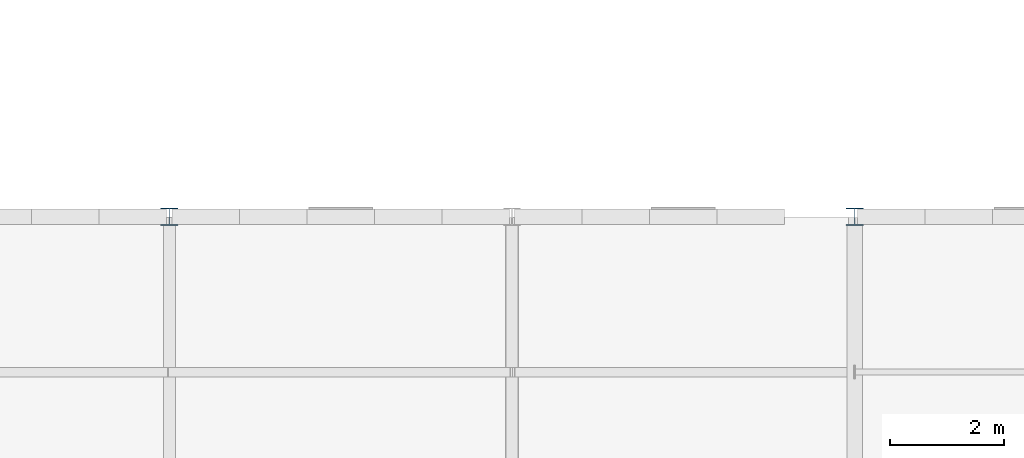
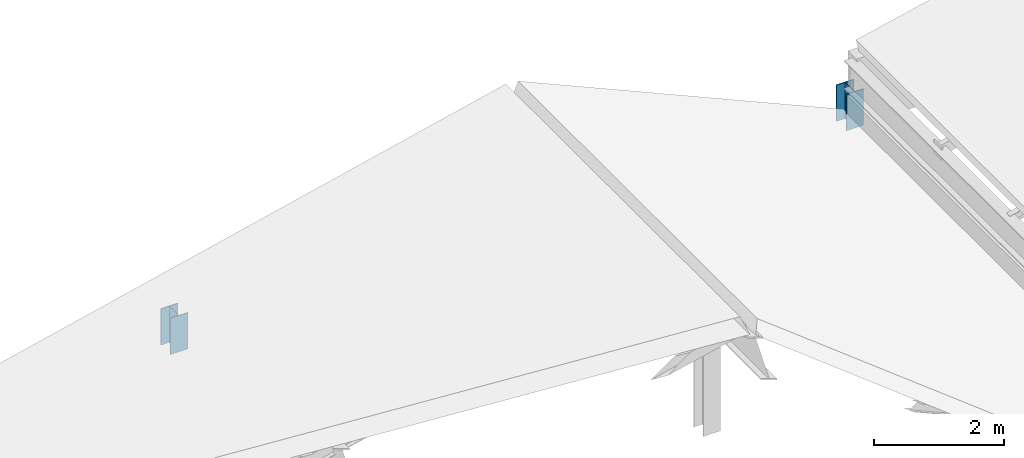
# One storey, part 26 of 74: 2 members.
"""IFC4 building model written with IfcOpenShell, lengths in metres."""

from ifc_helpers import new_model, si_unit, direction, frame, origin, origin_2d, place, context, subcontext, project, spatial, i_section, extrude, material, material_profile, profile_set, type_object, element, save


model = new_model("IFC4")

# Units and contexts
model_context = context("Model", 3, precision=1e-05, world=origin(), true_north=direction((0.0, 1.0)))
body_context = subcontext(model_context, "Body", "Model", "MODEL_VIEW")
ifc_project = project(units=[si_unit("LENGTHUNIT", "METRE"), si_unit("AREAUNIT", "SQUARE_METRE"), si_unit("VOLUMEUNIT", "CUBIC_METRE"), si_unit("PLANEANGLEUNIT", "RADIAN"), si_unit("MASSUNIT", "GRAM", prefix="KILO")], contexts=[model_context])

# Site, building, storey
site_placement = place(None, origin())
site = spatial("IfcSite", under=ifc_project, at=site_placement, CompositionType="ELEMENT")
building_placement = place(site_placement, origin())
building = spatial("IfcBuilding", under=site, at=building_placement, Name="Siltcreek Boulevard Central Fire Station", CompositionType="ELEMENT")
storey_placement = place(building_placement, frame((0.0, 0.0, 25.199951171875)))
storey = spatial("IfcBuildingStorey", under=building, at=storey_placement, Name="RF", CompositionType="ELEMENT", Elevation=25.199951171875)

# Members
ifc_material = material(Name="Structural steel ASTM A992 Gr50", Category="steel")
ifc_material_profile = material_profile(ifc_material, i_section(OverallWidth=0.304931640625, OverallDepth=0.30810546875, WebThickness=0.010009765625, FlangeThickness=0.015380859375, at=origin_2d()), Name="W310X97")
ifc_profile_set = profile_set([ifc_material_profile], Name="Structural steel ASTM A992 Gr50")
member_type = type_object("IfcMemberType", Name="CH_W310X97", PredefinedType="CHORD", material=ifc_profile_set)
member_1_placement = place(storey_placement, frame((7.800048828125, 54.0, -15.199951171875), z_axis=(0.0, 0.0, 1.0), x_axis=(1.0, 0.0, 0.0)))
element("IfcMember", 1, at=member_1_placement, inside=storey, type_object=member_type, Name="Roof bearing truss post 0665", PredefinedType="CHORD", context=body_context, shape_type="SweptSolid", body=[
    extrude(i_section(OverallWidth=0.304931640625, OverallDepth=0.30810546875, WebThickness=0.010009765625, FlangeThickness=0.015380859375, at=origin_2d()), origin(), (0.0, 0.0, 1.0), 0.681396484375),
])
member_2_placement = place(storey_placement, frame((19.800048828125, 54.0, -15.199951171875), z_axis=(0.0, 0.0, 1.0), x_axis=(1.0, 0.0, 0.0)))
element("IfcMember", 2, at=member_2_placement, inside=storey, type_object=member_type, Name="Roof bearing truss post 0673", PredefinedType="CHORD", context=body_context, shape_type="SweptSolid", body=[
    extrude(i_section(OverallWidth=0.304931640625, OverallDepth=0.30810546875, WebThickness=0.010009765625, FlangeThickness=0.015380859375, at=origin_2d()), origin(), (0.0, 0.0, 1.0), 0.68310546875),
])

save(model, "model.ifc")
